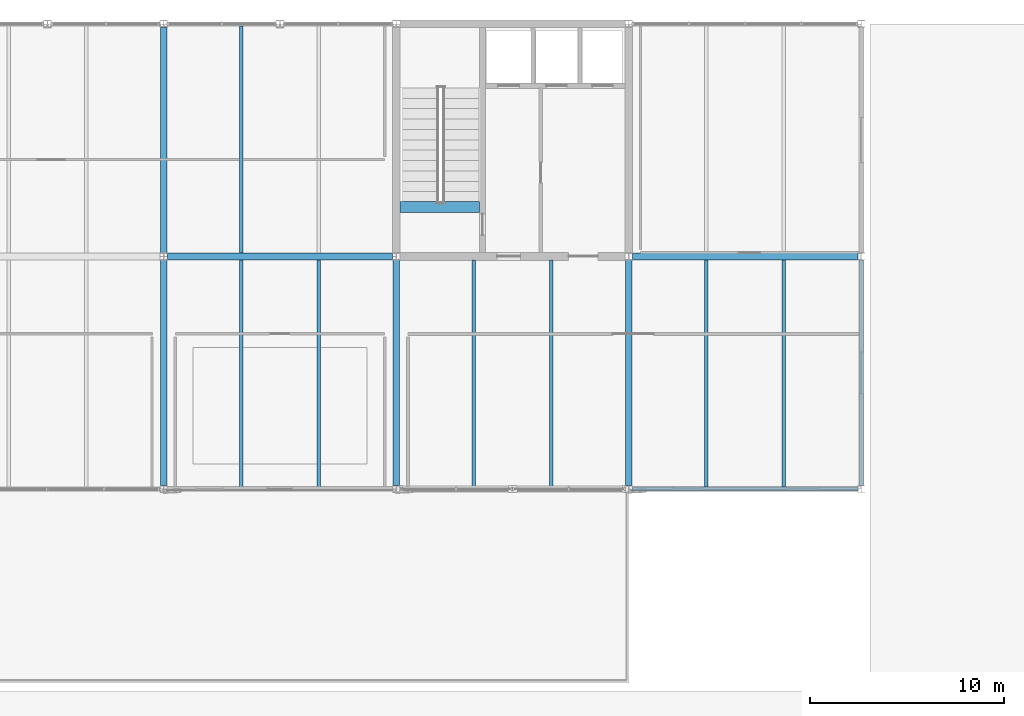
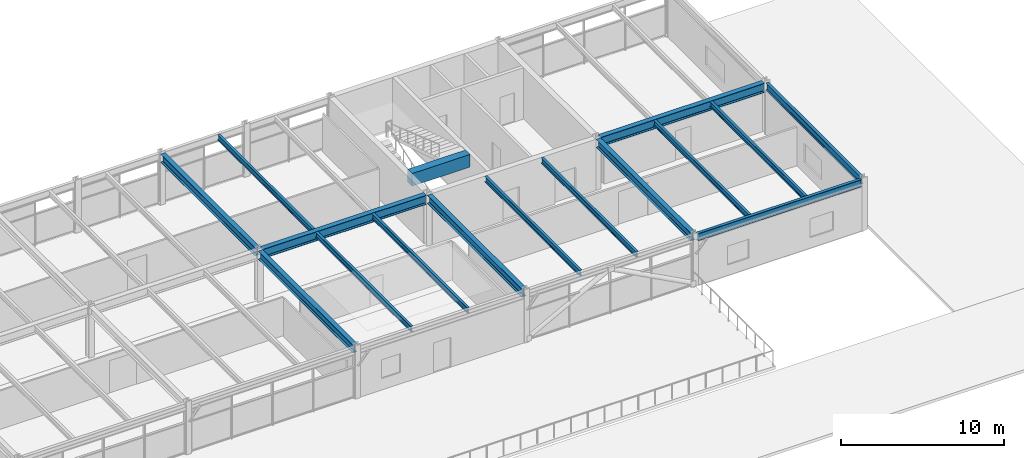
# One storey, part 18 of 30: 16 beams.
"""IFC4 building model written with IfcOpenShell, lengths in metres."""

from ifc_helpers import new_model, si_unit, direction, frame, origin, origin_2d, place, context, subcontext, project, spatial, rectangle, i_section, extrude, material, material_profile, profile_set, type_object, element, save


model = new_model("IFC4")

# Units and contexts
model_context = context("Model", 3, precision=1e-05, world=origin(), true_north=direction((0.0, 1.0)))
body_context = subcontext(model_context, "Body", "Model", "MODEL_VIEW")
ifc_project = project(units=[si_unit("LENGTHUNIT", "METRE"), si_unit("AREAUNIT", "SQUARE_METRE"), si_unit("VOLUMEUNIT", "CUBIC_METRE"), si_unit("PLANEANGLEUNIT", "RADIAN"), si_unit("MASSUNIT", "GRAM", prefix="KILO")], contexts=[model_context])

# Site, building, storey
site_placement = place(None, origin())
site = spatial("IfcSite", under=ifc_project, at=site_placement, CompositionType="ELEMENT")
building_placement = place(site_placement, origin())
building = spatial("IfcBuilding", under=site, at=building_placement, Name="Girod Span Mobility Hub", CompositionType="ELEMENT")
storey_placement = place(building_placement, frame((0.0, 0.0, 49.60009765625)))
storey = spatial("IfcBuildingStorey", under=building, at=storey_placement, Name="L12", CompositionType="ELEMENT", Elevation=49.60009765625)

# Beams
ifc_material_1 = material(Name="Concrete C40/50", Category="concrete")
ifc_material_profile_1 = material_profile(ifc_material_1, rectangle(XDim=0.550048828125, YDim=0.949951171875, at=origin_2d()), Name="RK-550X950")
ifc_profile_set_1 = profile_set([ifc_material_profile_1], Name="Concrete C40/50")
beam_type_1 = type_object("IfcBeamType", Name="BM-RK-550X950", PredefinedType="BEAM", material=ifc_profile_set_1)
beam_1_placement = place(storey_placement, frame((108.197021484375, 59.550048828125, 3.369873046875), z_axis=(1.0, 0.0, 0.0), x_axis=(0.0, 1.0, 0.0)))
element("IfcBeam", 1, at=beam_1_placement, inside=storey, type_object=beam_type_1, Name="Stair ST-2 Landing Header Beam L12", PredefinedType="BEAM", context=body_context, shape_type="SweptSolid", body=[
    extrude(rectangle(XDim=0.550048828125, YDim=0.949951171875, at=origin_2d()), origin(), (0.0, 0.0, 1.0), 4.10595703125),
])
ifc_material_2 = material(Name="Steel A992 Grade 50", Category="steel")
ifc_material_profile_2 = material_profile(ifc_material_2, i_section(OverallWidth=0.178955078125, OverallDepth=0.409912109375, WebThickness=0.0087890625, FlangeThickness=0.014404296875, FilletRadius=0.012939453125, at=origin_2d()), Name="W16X45")
ifc_profile_set_2 = profile_set([ifc_material_profile_2], Name="Steel A992 Grade 50")
beam_type_2 = type_object("IfcBeamType", Name="BM-STL-W16X45", PredefinedType="BEAM", material=ifc_profile_set_2)
for number, where, z_axis, x_axis, name in (
    (2, (100.0, 45.10302734375, 3.639892578125), (0.0, 1.0, 0.0), (-1.0, 0.0, 0.0), "Composite Floorbeam 9/D-1 L12"),
    (3, (104.0, 45.10302734375, 3.639892578125), (0.0, 1.0, 0.0), (-1.0, 0.0, 0.0), "Composite Floorbeam 9/D-2 L12"),
    (4, (100.0, 57.174560546875, 3.639892578125), (0.0, 1.0, 0.0), (-1.0, 0.0, 0.0), "Composite Floorbeam 9/E-1 L12"),
):
    element("IfcBeam", number, at=place(storey_placement, frame(where, z_axis=z_axis, x_axis=x_axis)), inside=storey, type_object=beam_type_2, Name=name, PredefinedType="BEAM", context=body_context, shape_type="SweptSolid", body=[
        extrude(i_section(OverallWidth=0.178955078125, OverallDepth=0.409912109375, WebThickness=0.0087890625, FlangeThickness=0.014404296875, FilletRadius=0.012939453125, at=origin_2d()), origin(), (0.0, 0.0, 1.0), 11.722412109375),
    ])
for number, where, z_axis, x_axis, name in (
    (5, (112.0, 45.10302734375, 3.639892578125), (0.0, 1.0, 0.0), (-1.0, 0.0, 0.0), "Composite Floorbeam 10/D-1 L12"),
    (6, (116.0, 45.10302734375, 3.639892578125), (0.0, 1.0, 0.0), (-1.0, 0.0, 0.0), "Composite Floorbeam 10/D-2 L12"),
):
    element("IfcBeam", number, at=place(storey_placement, frame(where, z_axis=z_axis, x_axis=x_axis)), inside=storey, type_object=beam_type_2, Name=name, PredefinedType="BEAM", context=body_context, shape_type="SweptSolid", body=[
        extrude(i_section(OverallWidth=0.178955078125, OverallDepth=0.409912109375, WebThickness=0.0087890625, FlangeThickness=0.014404296875, FilletRadius=0.012939453125, at=origin_2d()), origin(), (0.0, 0.0, 1.0), 11.699951171875),
    ])
for number, where, z_axis, x_axis, name in (
    (7, (124.0, 45.10302734375, 3.639892578125), (0.0, 1.0, 0.0), (-1.0, 0.0, 0.0), "Composite Floorbeam 11/D-1 L12"),
    (8, (128.0, 45.10302734375, 3.639892578125), (0.0, 1.0, 0.0), (-1.0, 0.0, 0.0), "Composite Floorbeam 11/D-2 L12"),
):
    element("IfcBeam", number, at=place(storey_placement, frame(where, z_axis=z_axis, x_axis=x_axis)), inside=storey, type_object=beam_type_2, Name=name, PredefinedType="BEAM", context=body_context, shape_type="SweptSolid", body=[
        extrude(i_section(OverallWidth=0.178955078125, OverallDepth=0.409912109375, WebThickness=0.0087890625, FlangeThickness=0.014404296875, FilletRadius=0.012939453125, at=origin_2d()), origin(), (0.0, 0.0, 1.0), 11.722412109375),
    ])
ifc_material_3 = material(Name="Steel A992 Grade 50", Category="steel")
ifc_material_profile_3 = material_profile(ifc_material_3, i_section(OverallWidth=0.2119140625, OverallDepth=0.5439453125, WebThickness=0.01318359375, FlangeThickness=0.021240234375, FilletRadius=0.014892578125, at=origin_2d()), Name="W21X83")
ifc_profile_set_3 = profile_set([ifc_material_profile_3], Name="Steel A992 Grade 50")
beam_type_3 = type_object("IfcBeamType", Name="BM-STL-W21X83", PredefinedType="SPANDREL", material=ifc_profile_set_3)
beam_2_placement = place(storey_placement, frame((120.181396484375, 45.0, 3.572998046875), z_axis=(1.0, 0.0, 0.0), x_axis=(0.0, 1.0, 0.0)))
element("IfcBeam", 9, at=beam_2_placement, inside=storey, type_object=beam_type_3, Name="Girder 11-12/D L12", PredefinedType="SPANDREL", context=body_context, shape_type="SweptSolid", body=[
    extrude(i_section(OverallWidth=0.2119140625, OverallDepth=0.5439453125, WebThickness=0.01318359375, FlangeThickness=0.021240234375, FilletRadius=0.014892578125, at=origin_2d()), origin(), (0.0, 0.0, 1.0), 11.63720703125),
])
beam_3_placement = place(storey_placement, frame((132.0, 45.175048828125, 3.572998046875), z_axis=(0.0, 1.0, 0.0), x_axis=(-1.0, 0.0, 0.0)))
element("IfcBeam", 10, at=beam_3_placement, inside=storey, type_object=beam_type_3, Name="Tie Girder 12/D-E L12", PredefinedType="SPANDREL", context=body_context, shape_type="SweptSolid", body=[
    extrude(i_section(OverallWidth=0.2119140625, OverallDepth=0.5439453125, WebThickness=0.01318359375, FlangeThickness=0.021240234375, FilletRadius=0.014892578125, at=origin_2d()), origin(), (0.0, 0.0, 1.0), 11.64990234375),
])
ifc_material_4 = material(Name="Steel A992 Grade 50", Category="steel")
ifc_material_profile_4 = material_profile(ifc_material_4, i_section(OverallWidth=0.323974609375, OverallDepth=0.611083984375, WebThickness=0.0126953125, FlangeThickness=0.01904296875, FilletRadius=0.014892578125, at=origin_2d()), Name="W24X104")
ifc_profile_set_4 = profile_set([ifc_material_profile_4], Name="Steel A992 Grade 50")
beam_type_4 = type_object("IfcBeamType", Name="BM-STL-W24X104", PredefinedType="BEAM", material=ifc_profile_set_4)
for number, where, z_axis, x_axis, name in (
    (11, (96.0, 45.175048828125, 3.539306640625), (0.0, 1.0, 0.0), (-1.0, 0.0, 0.0), "Tie Girder 9/D-E L12"),
    (12, (96.0, 57.1845703125, 3.539306640625), (0.0, 1.0, 0.0), (-1.0, 0.0, 0.0), "Tie Girder 9/E-F L12"),
    (13, (108.0, 45.175048828125, 3.539306640625), (0.0, 1.0, 0.0), (-1.0, 0.0, 0.0), "Tie Girder 10/D-E L12"),
    (14, (120.0, 45.175048828125, 3.539306640625), (0.0, 1.0, 0.0), (-1.0, 0.0, 0.0), "Tie Girder 11/D-E L12"),
):
    element("IfcBeam", number, at=place(storey_placement, frame(where, z_axis=z_axis, x_axis=x_axis)), inside=storey, type_object=beam_type_4, Name=name, PredefinedType="BEAM", context=body_context, shape_type="SweptSolid", body=[
        extrude(i_section(OverallWidth=0.323974609375, OverallDepth=0.611083984375, WebThickness=0.0126953125, FlangeThickness=0.01904296875, FilletRadius=0.014892578125, at=origin_2d()), origin(), (0.0, 0.0, 1.0), 11.640380859375),
    ])
ifc_material_5 = material(Name="Steel A992 Grade 50", Category="steel")
ifc_material_profile_5 = material_profile(ifc_material_5, i_section(OverallWidth=0.35498046875, OverallDepth=0.695068359375, WebThickness=0.015380859375, FlangeThickness=0.02490234375, FilletRadius=0.01806640625, at=origin_2d()), Name="W27X146")
ifc_profile_set_5 = profile_set([ifc_material_profile_5], Name="Steel A992 Grade 50")
beam_type_5 = type_object("IfcBeamType", Name="BM-STL-W27X146", PredefinedType="BEAM", material=ifc_profile_set_5)
beam_4_placement = place(storey_placement, frame((96.194091796875, 57.0, 3.497314453125), z_axis=(1.0, 0.0, 0.0), x_axis=(0.0, 1.0, 0.0)))
element("IfcBeam", 15, at=beam_4_placement, inside=storey, type_object=beam_type_5, Name="Girder 9-10/E L12", PredefinedType="BEAM", context=body_context, shape_type="SweptSolid", body=[
    extrude(i_section(OverallWidth=0.35498046875, OverallDepth=0.695068359375, WebThickness=0.015380859375, FlangeThickness=0.02490234375, FilletRadius=0.01806640625, at=origin_2d()), origin(), (0.0, 0.0, 1.0), 11.61181640625),
])
beam_5_placement = place(storey_placement, frame((120.194091796875, 57.0, 3.497314453125), z_axis=(1.0, 0.0, 0.0), x_axis=(0.0, 1.0, 0.0)))
element("IfcBeam", 16, at=beam_5_placement, inside=storey, type_object=beam_type_5, Name="Girder 11-12/E L12", PredefinedType="BEAM", context=body_context, shape_type="SweptSolid", body=[
    extrude(i_section(OverallWidth=0.35498046875, OverallDepth=0.695068359375, WebThickness=0.015380859375, FlangeThickness=0.02490234375, FilletRadius=0.01806640625, at=origin_2d()), origin(), (0.0, 0.0, 1.0), 11.62451171875),
])

save(model, "model.ifc")
